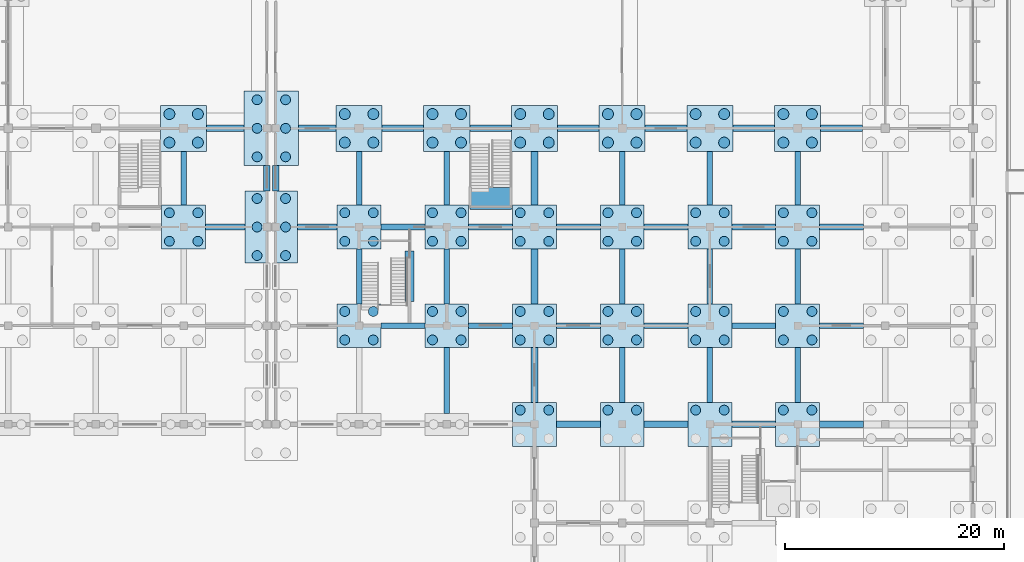
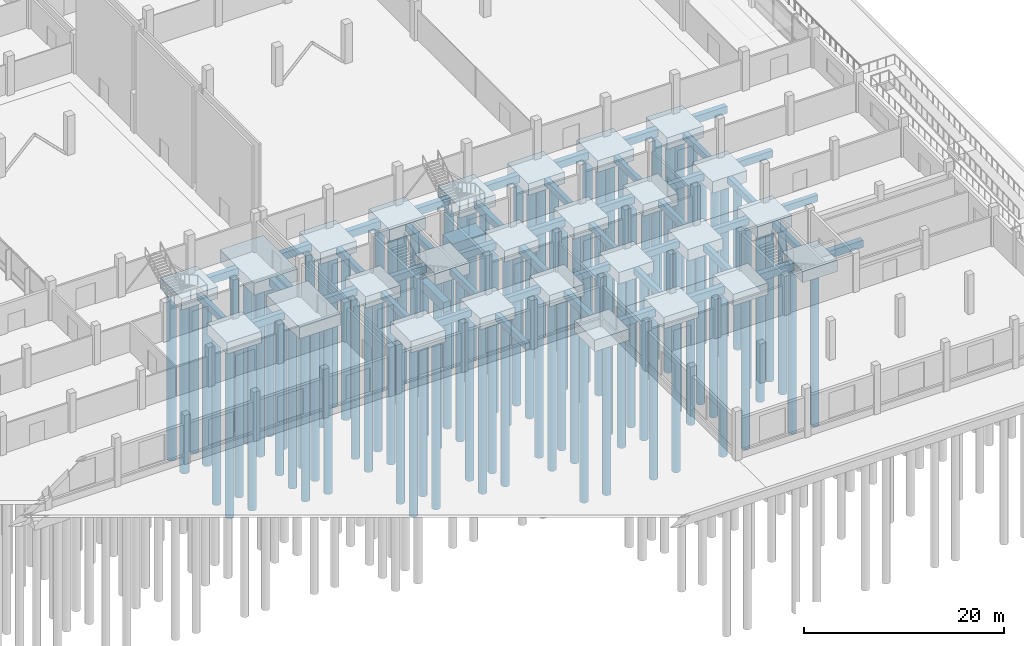
# One storey, part 8 of 72: 100 piles, 74 footings.
"""IFC4 building model written with IfcOpenShell, lengths in metres."""

from ifc_helpers import new_model, si_unit, direction, frame, origin, origin_2d, place, context, subcontext, project, spatial, rectangle, circle, extrude, material, material_profile, profile_set, type_object, element, save


model = new_model("IFC4")

# Units and contexts
model_context = context("Model", 3, precision=1e-05, world=origin(), true_north=direction((0.0, 1.0)))
body_context = subcontext(model_context, "Body", "Model", "MODEL_VIEW")
ifc_project = project(units=[si_unit("LENGTHUNIT", "METRE"), si_unit("AREAUNIT", "SQUARE_METRE"), si_unit("VOLUMEUNIT", "CUBIC_METRE"), si_unit("PLANEANGLEUNIT", "RADIAN"), si_unit("MASSUNIT", "GRAM", prefix="KILO"), si_unit("THERMODYNAMICTEMPERATUREUNIT", "KELVIN"), si_unit("POWERUNIT", "WATT")], contexts=[model_context])

# Site, building, storey
site_placement = place(None, origin())
site = spatial("IfcSite", under=ifc_project, at=site_placement, CompositionType="ELEMENT")
building_placement = place(site_placement, origin())
building = spatial("IfcBuilding", under=site, at=building_placement, Name="Kronsvod Quay Wholesale Market", CompositionType="ELEMENT")
storey_placement = place(building_placement, origin())
storey = spatial("IfcBuildingStorey", under=building, at=storey_placement, Name="L00", CompositionType="ELEMENT", Elevation=0.0)

# Footings
ifc_material_1 = material(Name="Concrete C35/45", Category="concrete")
footing_type_1 = type_object("IfcFootingType", Name="Cap_PC4A", PredefinedType="PILE_CAP", material=ifc_material_1)
for number, where, z_axis, x_axis, name in (
    (1, (120.0, 45.0, -2.64990234375), (0.0, 0.0, 1.0), (1.0, 0.0, 0.0), "CAP-180"),
    (2, (136.0, 36.0, -2.64990234375), (0.0, 0.0, 1.0), (1.0, 0.0, 0.0), "CAP-189"),
    (3, (136.0, 45.0, -2.64990234375), (0.0, 0.0, 1.0), (1.0, 0.0, 0.0), "CAP-190"),
    (4, (144.0, 36.0, -2.64990234375), (0.0, 0.0, 1.0), (1.0, 0.0, 0.0), "CAP-199"),
    (5, (144.0, 45.0, -2.64990234375), (0.0, 0.0, 1.0), (1.0, 0.0, 0.0), "CAP-200"),
    (6, (152.0, 27.0, -2.64990234375), (0.0, 0.0, 1.0), (1.0, 0.0, 0.0), "CAP-211"),
    (7, (152.0, 36.0, -2.64990234375), (0.0, 0.0, 1.0), (1.0, 0.0, 0.0), "CAP-212"),
    (8, (152.0, 45.0, -2.64990234375), (0.0, 0.0, 1.0), (1.0, 0.0, 0.0), "CAP-213"),
    (9, (160.0, 27.0, -2.64990234375), (0.0, 0.0, 1.0), (1.0, 0.0, 0.0), "CAP-224"),
    (10, (160.0, 36.0, -2.64990234375), (0.0, 0.0, 1.0), (1.0, 0.0, 0.0), "CAP-225"),
    (11, (160.0, 45.0, -2.64990234375), (0.0, 0.0, 1.0), (1.0, 0.0, 0.0), "CAP-226"),
    (12, (168.0, 27.0, -2.64990234375), (0.0, 0.0, 1.0), (1.0, 0.0, 0.0), "CAP-235"),
    (13, (168.0, 36.0, -2.64990234375), (0.0, 0.0, 1.0), (1.0, 0.0, 0.0), "CAP-236"),
    (14, (168.0, 45.0, -2.64990234375), (0.0, 0.0, 1.0), (1.0, 0.0, 0.0), "CAP-237"),
    (15, (176.0, 27.0, -2.64990234375), (0.0, 0.0, 1.0), (1.0, 0.0, 0.0), "CAP-246"),
    (16, (176.0, 36.0, -2.64990234375), (0.0, 0.0, 1.0), (1.0, 0.0, 0.0), "CAP-247"),
    (17, (176.0, 45.0, -2.64990234375), (0.0, 0.0, 1.0), (1.0, 0.0, 0.0), "CAP-248"),
):
    element("IfcFooting", number, at=place(storey_placement, frame(where, z_axis=z_axis, x_axis=x_axis)), inside=storey, type_object=footing_type_1, Name=name, PredefinedType="PILE_CAP", context=body_context, shape_type="SweptSolid", body=[
        extrude(rectangle(XDim=4.0, YDim=4.0, at=origin_2d()), origin(), (0.0, 0.0, 1.0), 1.39990234375),
    ])
ifc_material_2 = material(Name="Concrete C35/45", Category="concrete")
footing_type_2 = type_object("IfcFootingType", Name="Cap_PC4B", PredefinedType="PILE_CAP", material=ifc_material_2)
for number, where, z_axis, x_axis, name in (
    (18, (120.0, 54.0, -2.64990234375), (0.0, 0.0, 1.0), (1.0, 0.0, 0.0), "CAP-181"),
    (19, (136.0, 54.0, -2.64990234375), (0.0, 0.0, 1.0), (1.0, 0.0, 0.0), "CAP-191"),
    (20, (144.0, 54.0, -2.64990234375), (0.0, 0.0, 1.0), (1.0, 0.0, 0.0), "CAP-201"),
    (21, (152.0, 54.0, -2.64990234375), (0.0, 0.0, 1.0), (1.0, 0.0, 0.0), "CAP-214"),
    (22, (160.0, 54.0, -2.64990234375), (0.0, 0.0, 1.0), (1.0, 0.0, 0.0), "CAP-227"),
    (23, (168.0, 54.0, -2.64990234375), (0.0, 0.0, 1.0), (1.0, 0.0, 0.0), "CAP-238"),
    (24, (176.0, 54.0, -2.64990234375), (0.0, 0.0, 1.0), (1.0, 0.0, 0.0), "CAP-249"),
):
    element("IfcFooting", number, at=place(storey_placement, frame(where, z_axis=z_axis, x_axis=x_axis)), inside=storey, type_object=footing_type_2, Name=name, PredefinedType="PILE_CAP", context=body_context, shape_type="SweptSolid", body=[
        extrude(rectangle(XDim=4.199951171875, YDim=4.199951171875, at=origin_2d()), origin(), (0.0, 0.0, 1.0), 1.39990234375),
    ])
ifc_material_3 = material(Name="Concrete C35/45", Category="concrete")
footing_type_3 = type_object("IfcFootingType", Name="Cap_PC6H", PredefinedType="PILE_CAP", material=ifc_material_3)
footing_1_placement = place(storey_placement, frame((128.0, 54.0, -2.7001953125), z_axis=(0.0, 0.0, 1.0), x_axis=(1.0, 0.0, 0.0)))
element("IfcFooting", 25, at=footing_1_placement, inside=storey, type_object=footing_type_3, Name="CAP-J008", PredefinedType="PILE_CAP", context=body_context, shape_type="SweptSolid", body=[
    extrude(rectangle(XDim=5.0, YDim=6.800048828125, at=origin_2d()), origin(), (0.0, 0.0, 1.0), 1.449951171875),
])
ifc_material_4 = material(Name="Concrete C35/45", Category="concrete")
footing_type_4 = type_object("IfcFootingType", Name="Cap_PC6J", PredefinedType="PILE_CAP", material=ifc_material_4)
footing_2_placement = place(storey_placement, frame((128.0, 45.0, -2.64990234375), z_axis=(0.0, 0.0, 1.0), x_axis=(1.0, 0.0, 0.0)))
element("IfcFooting", 26, at=footing_2_placement, inside=storey, type_object=footing_type_4, Name="CAP-J006", PredefinedType="PILE_CAP", context=body_context, shape_type="SweptSolid", body=[
    extrude(rectangle(XDim=4.800048828125, YDim=6.60009765625, at=origin_2d()), origin(), (0.0, 0.0, 1.0), 1.39990234375),
])
ifc_material_5 = material(Name="Concrete C35/45", Category="concrete")
ifc_material_profile_1 = material_profile(ifc_material_5, rectangle(XDim=0.5, YDim=0.800048828125, at=origin_2d()), Name="FB-01")
ifc_profile_set_1 = profile_set([ifc_material_profile_1], Name="Concrete C35/45")
footing_type_5 = type_object("IfcFootingType", Name="FootingBeam_500x800", PredefinedType="FOOTING_BEAM", material=ifc_profile_set_1)
footing_3_placement = place(storey_placement, frame((120.0, 47.0, -1.64990234375), z_axis=(0.0, 1.0, 0.0), x_axis=(-1.0, 0.0, 0.0)))
element("IfcFooting", 27, at=footing_3_placement, inside=storey, type_object=footing_type_5, Name="FB-Y-0328", PredefinedType="FOOTING_BEAM", context=body_context, shape_type="SweptSolid", body=[
    extrude(rectangle(XDim=0.5, YDim=0.800048828125, at=origin_2d()), origin(), (0.0, 0.0, 1.0), 4.89990234375),
])
for number, where, z_axis, x_axis, name in (
    (28, (138.0, 36.0, -1.64990234375), (1.0, 0.0, 0.0), (0.0, 1.0, 0.0), "FB-X-0366"),
    (29, (146.0, 36.0, -1.64990234375), (1.0, 0.0, 0.0), (0.0, 1.0, 0.0), "FB-X-0367"),
    (30, (154.0, 36.0, -1.64990234375), (1.0, 0.0, 0.0), (0.0, 1.0, 0.0), "FB-X-0368"),
    (31, (162.0, 36.0, -1.64990234375), (1.0, 0.0, 0.0), (0.0, 1.0, 0.0), "FB-X-0369"),
    (32, (170.0, 36.0, -1.64990234375), (1.0, 0.0, 0.0), (0.0, 1.0, 0.0), "FB-X-0370"),
    (33, (178.0, 36.0, -1.64990234375), (1.0, 0.0, 0.0), (0.0, 1.0, 0.0), "FB-X-0371"),
):
    element("IfcFooting", number, at=place(storey_placement, frame(where, z_axis=z_axis, x_axis=x_axis)), inside=storey, type_object=footing_type_5, Name=name, PredefinedType="FOOTING_BEAM", context=body_context, shape_type="SweptSolid", body=[
        extrude(rectangle(XDim=0.5, YDim=0.800048828125, at=origin_2d()), origin(), (0.0, 0.0, 1.0), 4.0),
    ])
footing_4_placement = place(storey_placement, frame((136.0, 38.0, -1.64990234375), z_axis=(0.0, 1.0, 0.0), x_axis=(-1.0, 0.0, 0.0)))
element("IfcFooting", 34, at=footing_4_placement, inside=storey, type_object=footing_type_5, Name="FB-Y-0437", PredefinedType="FOOTING_BEAM", context=body_context, shape_type="SweptSolid", body=[
    extrude(rectangle(XDim=0.5, YDim=0.800048828125, at=origin_2d()), origin(), (0.0, 0.0, 1.0), 5.0),
])
footing_5_placement = place(storey_placement, frame((136.0, 47.0, -1.64990234375), z_axis=(0.0, 1.0, 0.0), x_axis=(-1.0, 0.0, 0.0)))
element("IfcFooting", 35, at=footing_5_placement, inside=storey, type_object=footing_type_5, Name="FB-Y-0438", PredefinedType="FOOTING_BEAM", context=body_context, shape_type="SweptSolid", body=[
    extrude(rectangle(XDim=0.5, YDim=0.800048828125, at=origin_2d()), origin(), (0.0, 0.0, 1.0), 4.89990234375),
])
footing_6_placement = place(storey_placement, frame((144.0, 28.0, -1.64990234375), z_axis=(0.0, 1.0, 0.0), x_axis=(-1.0, 0.0, 0.0)))
element("IfcFooting", 36, at=footing_6_placement, inside=storey, type_object=footing_type_5, Name="FB-Y-0444", PredefinedType="FOOTING_BEAM", context=body_context, shape_type="SweptSolid", body=[
    extrude(rectangle(XDim=0.5, YDim=0.800048828125, at=origin_2d()), origin(), (0.0, 0.0, 1.0), 6.0),
])
footing_7_placement = place(storey_placement, frame((144.0, 38.0, -1.64990234375), z_axis=(0.0, 1.0, 0.0), x_axis=(-1.0, 0.0, 0.0)))
element("IfcFooting", 37, at=footing_7_placement, inside=storey, type_object=footing_type_5, Name="FB-Y-0445", PredefinedType="FOOTING_BEAM", context=body_context, shape_type="SweptSolid", body=[
    extrude(rectangle(XDim=0.5, YDim=0.800048828125, at=origin_2d()), origin(), (0.0, 0.0, 1.0), 5.0),
])
footing_8_placement = place(storey_placement, frame((144.0, 47.0, -1.64990234375), z_axis=(0.0, 1.0, 0.0), x_axis=(-1.0, 0.0, 0.0)))
element("IfcFooting", 38, at=footing_8_placement, inside=storey, type_object=footing_type_5, Name="FB-Y-0446", PredefinedType="FOOTING_BEAM", context=body_context, shape_type="SweptSolid", body=[
    extrude(rectangle(XDim=0.5, YDim=0.800048828125, at=origin_2d()), origin(), (0.0, 0.0, 1.0), 4.89990234375),
])
for number, where, z_axis, x_axis, name in (
    (39, (160.0, 29.0, -1.64990234375), (0.0, 1.0, 0.0), (-1.0, 0.0, 0.0), "FB-Y-0466"),
    (40, (160.0, 38.0, -1.64990234375), (0.0, 1.0, 0.0), (-1.0, 0.0, 0.0), "FB-Y-0467"),
):
    element("IfcFooting", number, at=place(storey_placement, frame(where, z_axis=z_axis, x_axis=x_axis)), inside=storey, type_object=footing_type_5, Name=name, PredefinedType="FOOTING_BEAM", context=body_context, shape_type="SweptSolid", body=[
        extrude(rectangle(XDim=0.5, YDim=0.800048828125, at=origin_2d()), origin(), (0.0, 0.0, 1.0), 5.0),
    ])
footing_9_placement = place(storey_placement, frame((160.0, 47.0, -1.64990234375), z_axis=(0.0, 1.0, 0.0), x_axis=(-1.0, 0.0, 0.0)))
element("IfcFooting", 41, at=footing_9_placement, inside=storey, type_object=footing_type_5, Name="FB-Y-0468", PredefinedType="FOOTING_BEAM", context=body_context, shape_type="SweptSolid", body=[
    extrude(rectangle(XDim=0.5, YDim=0.800048828125, at=origin_2d()), origin(), (0.0, 0.0, 1.0), 4.89990234375),
])
for number, where, z_axis, x_axis, name in (
    (42, (168.0, 29.0, -1.64990234375), (0.0, 1.0, 0.0), (-1.0, 0.0, 0.0), "FB-Y-0475"),
    (43, (168.0, 38.0, -1.64990234375), (0.0, 1.0, 0.0), (-1.0, 0.0, 0.0), "FB-Y-0476"),
):
    element("IfcFooting", number, at=place(storey_placement, frame(where, z_axis=z_axis, x_axis=x_axis)), inside=storey, type_object=footing_type_5, Name=name, PredefinedType="FOOTING_BEAM", context=body_context, shape_type="SweptSolid", body=[
        extrude(rectangle(XDim=0.5, YDim=0.800048828125, at=origin_2d()), origin(), (0.0, 0.0, 1.0), 5.0),
    ])
footing_10_placement = place(storey_placement, frame((168.0, 47.0, -1.64990234375), z_axis=(0.0, 1.0, 0.0), x_axis=(-1.0, 0.0, 0.0)))
element("IfcFooting", 44, at=footing_10_placement, inside=storey, type_object=footing_type_5, Name="FB-Y-0477", PredefinedType="FOOTING_BEAM", context=body_context, shape_type="SweptSolid", body=[
    extrude(rectangle(XDim=0.5, YDim=0.800048828125, at=origin_2d()), origin(), (0.0, 0.0, 1.0), 4.89990234375),
])
for number, where, z_axis, x_axis, name in (
    (45, (176.0, 29.0, -1.64990234375), (0.0, 1.0, 0.0), (-1.0, 0.0, 0.0), "FB-Y-0484"),
    (46, (176.0, 38.0, -1.64990234375), (0.0, 1.0, 0.0), (-1.0, 0.0, 0.0), "FB-Y-0485"),
):
    element("IfcFooting", number, at=place(storey_placement, frame(where, z_axis=z_axis, x_axis=x_axis)), inside=storey, type_object=footing_type_5, Name=name, PredefinedType="FOOTING_BEAM", context=body_context, shape_type="SweptSolid", body=[
        extrude(rectangle(XDim=0.5, YDim=0.800048828125, at=origin_2d()), origin(), (0.0, 0.0, 1.0), 5.0),
    ])
footing_11_placement = place(storey_placement, frame((176.0, 47.0, -1.64990234375), z_axis=(0.0, 1.0, 0.0), x_axis=(-1.0, 0.0, 0.0)))
element("IfcFooting", 47, at=footing_11_placement, inside=storey, type_object=footing_type_5, Name="FB-Y-0486", PredefinedType="FOOTING_BEAM", context=body_context, shape_type="SweptSolid", body=[
    extrude(rectangle(XDim=0.5, YDim=0.800048828125, at=origin_2d()), origin(), (0.0, 0.0, 1.0), 4.89990234375),
])
ifc_material_6 = material(Name="Concrete C35/45", Category="concrete")
ifc_material_profile_2 = material_profile(ifc_material_6, rectangle(XDim=0.550048828125, YDim=0.85009765625, at=origin_2d()), Name="FB-03")
ifc_profile_set_2 = profile_set([ifc_material_profile_2], Name="Concrete C35/45")
footing_type_6 = type_object("IfcFootingType", Name="FootingBeam_550x850", PredefinedType="FOOTING_BEAM", material=ifc_profile_set_2)
for number, where, z_axis, x_axis, name in (
    (48, (122.0, 45.0, -1.675048828125), (1.0, 0.0, 0.0), (0.0, 1.0, 0.0), "FB-X-0212"),
    (49, (130.39990234375, 45.0, -1.675048828125), (1.0, 0.0, 0.0), (0.0, 1.0, 0.0), "FB-X-0373"),
):
    element("IfcFooting", number, at=place(storey_placement, frame(where, z_axis=z_axis, x_axis=x_axis)), inside=storey, type_object=footing_type_6, Name=name, PredefinedType="FOOTING_BEAM", context=body_context, shape_type="SweptSolid", body=[
        extrude(rectangle(XDim=0.550048828125, YDim=0.85009765625, at=origin_2d()), origin(), (0.0, 0.0, 1.0), 3.60009765625),
    ])
for number, where, z_axis, x_axis, name in (
    (50, (138.0, 45.0, -1.675048828125), (1.0, 0.0, 0.0), (0.0, 1.0, 0.0), "FB-X-0374"),
    (51, (146.0, 45.0, -1.675048828125), (1.0, 0.0, 0.0), (0.0, 1.0, 0.0), "FB-X-0375"),
    (52, (154.0, 45.0, -1.675048828125), (1.0, 0.0, 0.0), (0.0, 1.0, 0.0), "FB-X-0376"),
    (53, (162.0, 45.0, -1.675048828125), (1.0, 0.0, 0.0), (0.0, 1.0, 0.0), "FB-X-0377"),
    (54, (170.0, 45.0, -1.675048828125), (1.0, 0.0, 0.0), (0.0, 1.0, 0.0), "FB-X-0378"),
    (55, (178.0, 45.0, -1.675048828125), (1.0, 0.0, 0.0), (0.0, 1.0, 0.0), "FB-X-0379"),
):
    element("IfcFooting", number, at=place(storey_placement, frame(where, z_axis=z_axis, x_axis=x_axis)), inside=storey, type_object=footing_type_6, Name=name, PredefinedType="FOOTING_BEAM", context=body_context, shape_type="SweptSolid", body=[
        extrude(rectangle(XDim=0.550048828125, YDim=0.85009765625, at=origin_2d()), origin(), (0.0, 0.0, 1.0), 4.0),
    ])
ifc_material_7 = material(Name="Concrete C35/45", Category="concrete")
ifc_material_profile_3 = material_profile(ifc_material_7, rectangle(XDim=0.60009765625, YDim=0.89990234375, at=origin_2d()), Name="FB-02")
ifc_profile_set_3 = profile_set([ifc_material_profile_3], Name="Concrete C35/45")
footing_type_7 = type_object("IfcFootingType", Name="FootingBeam_600x900", PredefinedType="FOOTING_BEAM", material=ifc_profile_set_3)
footing_12_placement = place(storey_placement, frame((122.10009765625, 54.0, -1.699951171875), z_axis=(1.0, 0.0, 0.0), x_axis=(0.0, 1.0, 0.0)))
element("IfcFooting", 56, at=footing_12_placement, inside=storey, type_object=footing_type_7, Name="FB-X-0220", PredefinedType="FOOTING_BEAM", context=body_context, shape_type="SweptSolid", body=[
    extrude(rectangle(XDim=0.60009765625, YDim=0.89990234375, at=origin_2d()), origin(), (0.0, 0.0, 1.0), 3.39990234375),
])
footing_13_placement = place(storey_placement, frame((127.60009765625, 48.300048828125, -1.699951171875), z_axis=(0.0, 1.0, 0.0), x_axis=(-1.0, 0.0, 0.0)))
element("IfcFooting", 57, at=footing_13_placement, inside=storey, type_object=footing_type_7, Name="FB-Y-0336", PredefinedType="FOOTING_BEAM", context=body_context, shape_type="SweptSolid", body=[
    extrude(rectangle(XDim=0.60009765625, YDim=0.89990234375, at=origin_2d()), origin(), (0.0, 0.0, 1.0), 2.300048828125),
])
for number, where, z_axis, x_axis, name in (
    (58, (154.0, 27.0, -1.699951171875), (1.0, 0.0, 0.0), (0.0, 1.0, 0.0), "FB-X-0360"),
    (59, (162.0, 27.0, -1.699951171875), (1.0, 0.0, 0.0), (0.0, 1.0, 0.0), "FB-X-0361"),
    (60, (170.0, 27.0, -1.699951171875), (1.0, 0.0, 0.0), (0.0, 1.0, 0.0), "FB-X-0362"),
    (61, (178.0, 27.0, -1.699951171875), (1.0, 0.0, 0.0), (0.0, 1.0, 0.0), "FB-X-0363"),
):
    element("IfcFooting", number, at=place(storey_placement, frame(where, z_axis=z_axis, x_axis=x_axis)), inside=storey, type_object=footing_type_7, Name=name, PredefinedType="FOOTING_BEAM", context=body_context, shape_type="SweptSolid", body=[
        extrude(rectangle(XDim=0.60009765625, YDim=0.89990234375, at=origin_2d()), origin(), (0.0, 0.0, 1.0), 4.0),
    ])
footing_14_placement = place(storey_placement, frame((130.5, 54.0, -1.699951171875), z_axis=(1.0, 0.0, 0.0), x_axis=(0.0, 1.0, 0.0)))
element("IfcFooting", 62, at=footing_14_placement, inside=storey, type_object=footing_type_7, Name="FB-X-0381", PredefinedType="FOOTING_BEAM", context=body_context, shape_type="SweptSolid", body=[
    extrude(rectangle(XDim=0.60009765625, YDim=0.89990234375, at=origin_2d()), origin(), (0.0, 0.0, 1.0), 3.39990234375),
])
for number, where, z_axis, x_axis, name in (
    (63, (138.10009765625, 54.0, -1.699951171875), (1.0, 0.0, 0.0), (0.0, 1.0, 0.0), "FB-X-0382"),
    (64, (146.10009765625, 54.0, -1.699951171875), (1.0, 0.0, 0.0), (0.0, 1.0, 0.0), "FB-X-0383"),
    (65, (154.10009765625, 54.0, -1.699951171875), (1.0, 0.0, 0.0), (0.0, 1.0, 0.0), "FB-X-0384"),
    (66, (162.10009765625, 54.0, -1.699951171875), (1.0, 0.0, 0.0), (0.0, 1.0, 0.0), "FB-X-0385"),
    (67, (170.10009765625, 54.0, -1.699951171875), (1.0, 0.0, 0.0), (0.0, 1.0, 0.0), "FB-X-0386"),
    (68, (178.10009765625, 54.0, -1.699951171875), (1.0, 0.0, 0.0), (0.0, 1.0, 0.0), "FB-X-0387"),
):
    element("IfcFooting", number, at=place(storey_placement, frame(where, z_axis=z_axis, x_axis=x_axis)), inside=storey, type_object=footing_type_7, Name=name, PredefinedType="FOOTING_BEAM", context=body_context, shape_type="SweptSolid", body=[
        extrude(rectangle(XDim=0.60009765625, YDim=0.89990234375, at=origin_2d()), origin(), (0.0, 0.0, 1.0), 3.7998046875),
    ])
footing_15_placement = place(storey_placement, frame((128.39990234375, 48.300048828125, -1.699951171875), z_axis=(0.0, 1.0, 0.0), x_axis=(-1.0, 0.0, 0.0)))
element("IfcFooting", 69, at=footing_15_placement, inside=storey, type_object=footing_type_7, Name="FB-Y-0430", PredefinedType="FOOTING_BEAM", context=body_context, shape_type="SweptSolid", body=[
    extrude(rectangle(XDim=0.60009765625, YDim=0.89990234375, at=origin_2d()), origin(), (0.0, 0.0, 1.0), 2.300048828125),
])
for number, where, z_axis, x_axis, name in (
    (70, (152.0, 29.0, -1.699951171875), (0.0, 1.0, 0.0), (-1.0, 0.0, 0.0), "FB-Y-0455"),
    (71, (152.0, 38.0, -1.699951171875), (0.0, 1.0, 0.0), (-1.0, 0.0, 0.0), "FB-Y-0456"),
):
    element("IfcFooting", number, at=place(storey_placement, frame(where, z_axis=z_axis, x_axis=x_axis)), inside=storey, type_object=footing_type_7, Name=name, PredefinedType="FOOTING_BEAM", context=body_context, shape_type="SweptSolid", body=[
        extrude(rectangle(XDim=0.60009765625, YDim=0.89990234375, at=origin_2d()), origin(), (0.0, 0.0, 1.0), 5.0),
    ])
footing_16_placement = place(storey_placement, frame((152.0, 47.0, -1.699951171875), z_axis=(0.0, 1.0, 0.0), x_axis=(-1.0, 0.0, 0.0)))
element("IfcFooting", 72, at=footing_16_placement, inside=storey, type_object=footing_type_7, Name="FB-Y-0457", PredefinedType="FOOTING_BEAM", context=body_context, shape_type="SweptSolid", body=[
    extrude(rectangle(XDim=0.60009765625, YDim=0.89990234375, at=origin_2d()), origin(), (0.0, 0.0, 1.0), 4.89990234375),
])
ifc_material_8 = material(Name="Concrete C35/45", Category="concrete")
footing_type_8 = type_object("IfcFootingType", Name="Pad_PF2", PredefinedType="PAD_FOOTING", material=ifc_material_8)
footing_17_placement = place(storey_placement, frame((148.0, 47.60009765625, -2.7001953125), z_axis=(0.0, 0.0, 1.0), x_axis=(1.0, 0.0, 0.0)))
element("IfcFooting", 73, at=footing_17_placement, inside=storey, type_object=footing_type_8, Name="ST-GAL-E2-FND", PredefinedType="PAD_FOOTING", context=body_context, shape_type="SweptSolid", body=[
    extrude(rectangle(XDim=3.800048828125, YDim=2.0, at=origin_2d()), origin(), (0.0, 0.0, 1.0), 1.449951171875),
])

# Piles
ifc_material_9 = material(Name="Concrete C35/45", Category="concrete")
ifc_material_profile_4 = material_profile(ifc_material_9, circle(Radius=0.5, at=origin_2d()), Name="PILE1000")
ifc_profile_set_4 = profile_set([ifc_material_profile_4], Name="Concrete C35/45")
pile_type_1 = type_object("IfcPileType", Name="Pile_PILE1000", PredefinedType="BORED", material=ifc_profile_set_4)
for number, where, z_axis, x_axis, name in (
    (74, (118.699951171875, 52.699951171875, -2.64990234375), (0.0, 0.0, -1.0), (1.0, 0.0, 0.0), "PILE-0709"),
    (75, (118.699951171875, 55.300048828125, -2.64990234375), (0.0, 0.0, -1.0), (1.0, 0.0, 0.0), "PILE-0710"),
    (76, (121.300048828125, 52.699951171875, -2.64990234375), (0.0, 0.0, -1.0), (1.0, 0.0, 0.0), "PILE-0711"),
    (77, (121.300048828125, 55.300048828125, -2.64990234375), (0.0, 0.0, -1.0), (1.0, 0.0, 0.0), "PILE-0712"),
    (78, (134.699951171875, 52.699951171875, -2.64990234375), (0.0, 0.0, -1.0), (1.0, 0.0, 0.0), "PILE-0747"),
    (79, (134.699951171875, 55.300048828125, -2.64990234375), (0.0, 0.0, -1.0), (1.0, 0.0, 0.0), "PILE-0748"),
    (80, (137.300048828125, 52.699951171875, -2.64990234375), (0.0, 0.0, -1.0), (1.0, 0.0, 0.0), "PILE-0749"),
    (81, (137.300048828125, 55.300048828125, -2.64990234375), (0.0, 0.0, -1.0), (1.0, 0.0, 0.0), "PILE-0750"),
    (82, (142.699951171875, 52.699951171875, -2.64990234375), (0.0, 0.0, -1.0), (1.0, 0.0, 0.0), "PILE-0785"),
    (83, (142.699951171875, 55.300048828125, -2.64990234375), (0.0, 0.0, -1.0), (1.0, 0.0, 0.0), "PILE-0786"),
    (84, (145.300048828125, 52.699951171875, -2.64990234375), (0.0, 0.0, -1.0), (1.0, 0.0, 0.0), "PILE-0787"),
    (85, (145.300048828125, 55.300048828125, -2.64990234375), (0.0, 0.0, -1.0), (1.0, 0.0, 0.0), "PILE-0788"),
    (86, (150.699951171875, 52.699951171875, -2.64990234375), (0.0, 0.0, -1.0), (1.0, 0.0, 0.0), "PILE-0833"),
    (87, (150.699951171875, 55.300048828125, -2.64990234375), (0.0, 0.0, -1.0), (1.0, 0.0, 0.0), "PILE-0834"),
    (88, (153.300048828125, 52.699951171875, -2.64990234375), (0.0, 0.0, -1.0), (1.0, 0.0, 0.0), "PILE-0835"),
    (89, (153.300048828125, 55.300048828125, -2.64990234375), (0.0, 0.0, -1.0), (1.0, 0.0, 0.0), "PILE-0836"),
    (90, (158.699951171875, 52.699951171875, -2.64990234375), (0.0, 0.0, -1.0), (1.0, 0.0, 0.0), "PILE-0881"),
    (91, (158.699951171875, 55.300048828125, -2.64990234375), (0.0, 0.0, -1.0), (1.0, 0.0, 0.0), "PILE-0882"),
    (92, (161.300048828125, 52.699951171875, -2.64990234375), (0.0, 0.0, -1.0), (1.0, 0.0, 0.0), "PILE-0883"),
    (93, (161.300048828125, 55.300048828125, -2.64990234375), (0.0, 0.0, -1.0), (1.0, 0.0, 0.0), "PILE-0884"),
    (94, (166.699951171875, 52.699951171875, -2.64990234375), (0.0, 0.0, -1.0), (1.0, 0.0, 0.0), "PILE-0917"),
    (95, (166.699951171875, 55.300048828125, -2.64990234375), (0.0, 0.0, -1.0), (1.0, 0.0, 0.0), "PILE-0918"),
    (96, (169.300048828125, 52.699951171875, -2.64990234375), (0.0, 0.0, -1.0), (1.0, 0.0, 0.0), "PILE-0919"),
    (97, (169.300048828125, 55.300048828125, -2.64990234375), (0.0, 0.0, -1.0), (1.0, 0.0, 0.0), "PILE-0920"),
    (98, (174.699951171875, 52.699951171875, -2.64990234375), (0.0, 0.0, -1.0), (1.0, 0.0, 0.0), "PILE-0953"),
    (99, (174.699951171875, 55.300048828125, -2.64990234375), (0.0, 0.0, -1.0), (1.0, 0.0, 0.0), "PILE-0954"),
    (100, (177.300048828125, 52.699951171875, -2.64990234375), (0.0, 0.0, -1.0), (1.0, 0.0, 0.0), "PILE-0955"),
    (101, (177.300048828125, 55.300048828125, -2.64990234375), (0.0, 0.0, -1.0), (1.0, 0.0, 0.0), "PILE-0956"),
):
    element("IfcPile", number, at=place(storey_placement, frame(where, z_axis=z_axis, x_axis=x_axis)), inside=storey, type_object=pile_type_1, Name=name, PredefinedType="BORED", context=body_context, shape_type="SweptSolid", body=[
        extrude(circle(Radius=0.5, at=origin_2d()), origin(), (0.0, 0.0, 1.0), 20.39990234375),
    ])
ifc_material_10 = material(Name="Concrete C35/45", Category="concrete")
ifc_material_profile_5 = material_profile(ifc_material_10, circle(Radius=0.449951171875, at=origin_2d()), Name="PILE900")
ifc_profile_set_5 = profile_set([ifc_material_profile_5], Name="Concrete C35/45")
pile_type_2 = type_object("IfcPileType", Name="Pile_PILE900", PredefinedType="BORED", material=ifc_profile_set_5)
for number, where, z_axis, x_axis, name in (
    (102, (126.699951171875, 42.39990234375, -2.64990234375), (0.0, 0.0, -1.0), (1.0, 0.0, 0.0), "PILE-0031"),
    (103, (126.699951171875, 45.0, -2.64990234375), (0.0, 0.0, -1.0), (1.0, 0.0, 0.0), "PILE-0032"),
    (104, (126.699951171875, 47.60009765625, -2.64990234375), (0.0, 0.0, -1.0), (1.0, 0.0, 0.0), "PILE-0033"),
    (105, (129.300048828125, 42.39990234375, -2.64990234375), (0.0, 0.0, -1.0), (1.0, 0.0, 0.0), "PILE-0034"),
    (106, (129.300048828125, 45.0, -2.64990234375), (0.0, 0.0, -1.0), (1.0, 0.0, 0.0), "PILE-0035"),
    (107, (129.300048828125, 47.60009765625, -2.64990234375), (0.0, 0.0, -1.0), (1.0, 0.0, 0.0), "PILE-0036"),
    (108, (126.699951171875, 51.39990234375, -2.64990234375), (0.0, 0.0, -1.0), (1.0, 0.0, 0.0), "PILE-0043"),
    (109, (126.699951171875, 54.0, -2.64990234375), (0.0, 0.0, -1.0), (1.0, 0.0, 0.0), "PILE-0044"),
    (110, (126.699951171875, 56.60009765625, -2.64990234375), (0.0, 0.0, -1.0), (1.0, 0.0, 0.0), "PILE-0045"),
    (111, (129.300048828125, 51.39990234375, -2.64990234375), (0.0, 0.0, -1.0), (1.0, 0.0, 0.0), "PILE-0046"),
    (112, (129.300048828125, 54.0, -2.64990234375), (0.0, 0.0, -1.0), (1.0, 0.0, 0.0), "PILE-0047"),
    (113, (129.300048828125, 56.60009765625, -2.64990234375), (0.0, 0.0, -1.0), (1.0, 0.0, 0.0), "PILE-0048"),
    (114, (118.699951171875, 43.699951171875, -2.64990234375), (0.0, 0.0, -1.0), (1.0, 0.0, 0.0), "PILE-0705"),
    (115, (118.699951171875, 46.300048828125, -2.64990234375), (0.0, 0.0, -1.0), (1.0, 0.0, 0.0), "PILE-0706"),
    (116, (121.300048828125, 43.699951171875, -2.64990234375), (0.0, 0.0, -1.0), (1.0, 0.0, 0.0), "PILE-0707"),
    (117, (121.300048828125, 46.300048828125, -2.64990234375), (0.0, 0.0, -1.0), (1.0, 0.0, 0.0), "PILE-0708"),
    (118, (134.699951171875, 34.699951171875, -2.64990234375), (0.0, 0.0, -1.0), (1.0, 0.0, 0.0), "PILE-0739"),
    (119, (134.699951171875, 37.300048828125, -2.64990234375), (0.0, 0.0, -1.0), (1.0, 0.0, 0.0), "PILE-0740"),
    (120, (137.300048828125, 34.699951171875, -2.64990234375), (0.0, 0.0, -1.0), (1.0, 0.0, 0.0), "PILE-0741"),
    (121, (137.300048828125, 37.300048828125, -2.64990234375), (0.0, 0.0, -1.0), (1.0, 0.0, 0.0), "PILE-0742"),
    (122, (134.699951171875, 43.699951171875, -2.64990234375), (0.0, 0.0, -1.0), (1.0, 0.0, 0.0), "PILE-0743"),
    (123, (134.699951171875, 46.300048828125, -2.64990234375), (0.0, 0.0, -1.0), (1.0, 0.0, 0.0), "PILE-0744"),
    (124, (137.300048828125, 43.699951171875, -2.64990234375), (0.0, 0.0, -1.0), (1.0, 0.0, 0.0), "PILE-0745"),
    (125, (137.300048828125, 46.300048828125, -2.64990234375), (0.0, 0.0, -1.0), (1.0, 0.0, 0.0), "PILE-0746"),
    (126, (142.699951171875, 34.699951171875, -2.64990234375), (0.0, 0.0, -1.0), (1.0, 0.0, 0.0), "PILE-0777"),
    (127, (142.699951171875, 37.300048828125, -2.64990234375), (0.0, 0.0, -1.0), (1.0, 0.0, 0.0), "PILE-0778"),
    (128, (145.300048828125, 34.699951171875, -2.64990234375), (0.0, 0.0, -1.0), (1.0, 0.0, 0.0), "PILE-0779"),
    (129, (145.300048828125, 37.300048828125, -2.64990234375), (0.0, 0.0, -1.0), (1.0, 0.0, 0.0), "PILE-0780"),
    (130, (142.699951171875, 43.699951171875, -2.64990234375), (0.0, 0.0, -1.0), (1.0, 0.0, 0.0), "PILE-0781"),
    (131, (142.699951171875, 46.300048828125, -2.64990234375), (0.0, 0.0, -1.0), (1.0, 0.0, 0.0), "PILE-0782"),
    (132, (145.300048828125, 43.699951171875, -2.64990234375), (0.0, 0.0, -1.0), (1.0, 0.0, 0.0), "PILE-0783"),
    (133, (145.300048828125, 46.300048828125, -2.64990234375), (0.0, 0.0, -1.0), (1.0, 0.0, 0.0), "PILE-0784"),
    (134, (150.699951171875, 28.300048828125, -2.64990234375), (0.0, 0.0, -1.0), (1.0, 0.0, 0.0), "PILE-0822"),
    (135, (153.300048828125, 28.300048828125, -2.64990234375), (0.0, 0.0, -1.0), (1.0, 0.0, 0.0), "PILE-0824"),
    (136, (150.699951171875, 34.699951171875, -2.64990234375), (0.0, 0.0, -1.0), (1.0, 0.0, 0.0), "PILE-0825"),
    (137, (150.699951171875, 37.300048828125, -2.64990234375), (0.0, 0.0, -1.0), (1.0, 0.0, 0.0), "PILE-0826"),
    (138, (153.300048828125, 34.699951171875, -2.64990234375), (0.0, 0.0, -1.0), (1.0, 0.0, 0.0), "PILE-0827"),
    (139, (153.300048828125, 37.300048828125, -2.64990234375), (0.0, 0.0, -1.0), (1.0, 0.0, 0.0), "PILE-0828"),
    (140, (150.699951171875, 43.699951171875, -2.64990234375), (0.0, 0.0, -1.0), (1.0, 0.0, 0.0), "PILE-0829"),
    (141, (150.699951171875, 46.300048828125, -2.64990234375), (0.0, 0.0, -1.0), (1.0, 0.0, 0.0), "PILE-0830"),
    (142, (153.300048828125, 43.699951171875, -2.64990234375), (0.0, 0.0, -1.0), (1.0, 0.0, 0.0), "PILE-0831"),
    (143, (153.300048828125, 46.300048828125, -2.64990234375), (0.0, 0.0, -1.0), (1.0, 0.0, 0.0), "PILE-0832"),
    (144, (158.699951171875, 28.300048828125, -2.64990234375), (0.0, 0.0, -1.0), (1.0, 0.0, 0.0), "PILE-0870"),
    (145, (161.300048828125, 28.300048828125, -2.64990234375), (0.0, 0.0, -1.0), (1.0, 0.0, 0.0), "PILE-0872"),
    (146, (158.699951171875, 34.699951171875, -2.64990234375), (0.0, 0.0, -1.0), (1.0, 0.0, 0.0), "PILE-0873"),
    (147, (158.699951171875, 37.300048828125, -2.64990234375), (0.0, 0.0, -1.0), (1.0, 0.0, 0.0), "PILE-0874"),
    (148, (161.300048828125, 34.699951171875, -2.64990234375), (0.0, 0.0, -1.0), (1.0, 0.0, 0.0), "PILE-0875"),
    (149, (161.300048828125, 37.300048828125, -2.64990234375), (0.0, 0.0, -1.0), (1.0, 0.0, 0.0), "PILE-0876"),
    (150, (158.699951171875, 43.699951171875, -2.64990234375), (0.0, 0.0, -1.0), (1.0, 0.0, 0.0), "PILE-0877"),
    (151, (158.699951171875, 46.300048828125, -2.64990234375), (0.0, 0.0, -1.0), (1.0, 0.0, 0.0), "PILE-0878"),
    (152, (161.300048828125, 43.699951171875, -2.64990234375), (0.0, 0.0, -1.0), (1.0, 0.0, 0.0), "PILE-0879"),
    (153, (161.300048828125, 46.300048828125, -2.64990234375), (0.0, 0.0, -1.0), (1.0, 0.0, 0.0), "PILE-0880"),
    (154, (166.699951171875, 28.300048828125, -2.64990234375), (0.0, 0.0, -1.0), (1.0, 0.0, 0.0), "PILE-0906"),
    (155, (169.300048828125, 28.300048828125, -2.64990234375), (0.0, 0.0, -1.0), (1.0, 0.0, 0.0), "PILE-0908"),
    (156, (166.699951171875, 34.699951171875, -2.64990234375), (0.0, 0.0, -1.0), (1.0, 0.0, 0.0), "PILE-0909"),
    (157, (166.699951171875, 37.300048828125, -2.64990234375), (0.0, 0.0, -1.0), (1.0, 0.0, 0.0), "PILE-0910"),
    (158, (169.300048828125, 34.699951171875, -2.64990234375), (0.0, 0.0, -1.0), (1.0, 0.0, 0.0), "PILE-0911"),
    (159, (169.300048828125, 37.300048828125, -2.64990234375), (0.0, 0.0, -1.0), (1.0, 0.0, 0.0), "PILE-0912"),
    (160, (166.699951171875, 43.699951171875, -2.64990234375), (0.0, 0.0, -1.0), (1.0, 0.0, 0.0), "PILE-0913"),
    (161, (166.699951171875, 46.300048828125, -2.64990234375), (0.0, 0.0, -1.0), (1.0, 0.0, 0.0), "PILE-0914"),
    (162, (169.300048828125, 43.699951171875, -2.64990234375), (0.0, 0.0, -1.0), (1.0, 0.0, 0.0), "PILE-0915"),
    (163, (169.300048828125, 46.300048828125, -2.64990234375), (0.0, 0.0, -1.0), (1.0, 0.0, 0.0), "PILE-0916"),
    (164, (174.699951171875, 28.300048828125, -2.64990234375), (0.0, 0.0, -1.0), (1.0, 0.0, 0.0), "PILE-0942"),
    (165, (177.300048828125, 28.300048828125, -2.64990234375), (0.0, 0.0, -1.0), (1.0, 0.0, 0.0), "PILE-0944"),
    (166, (174.699951171875, 34.699951171875, -2.64990234375), (0.0, 0.0, -1.0), (1.0, 0.0, 0.0), "PILE-0945"),
    (167, (174.699951171875, 37.300048828125, -2.64990234375), (0.0, 0.0, -1.0), (1.0, 0.0, 0.0), "PILE-0946"),
    (168, (177.300048828125, 34.699951171875, -2.64990234375), (0.0, 0.0, -1.0), (1.0, 0.0, 0.0), "PILE-0947"),
    (169, (177.300048828125, 37.300048828125, -2.64990234375), (0.0, 0.0, -1.0), (1.0, 0.0, 0.0), "PILE-0948"),
    (170, (174.699951171875, 43.699951171875, -2.64990234375), (0.0, 0.0, -1.0), (1.0, 0.0, 0.0), "PILE-0949"),
    (171, (174.699951171875, 46.300048828125, -2.64990234375), (0.0, 0.0, -1.0), (1.0, 0.0, 0.0), "PILE-0950"),
    (172, (177.300048828125, 43.699951171875, -2.64990234375), (0.0, 0.0, -1.0), (1.0, 0.0, 0.0), "PILE-0951"),
    (173, (177.300048828125, 46.300048828125, -2.64990234375), (0.0, 0.0, -1.0), (1.0, 0.0, 0.0), "PILE-0952"),
):
    element("IfcPile", number, at=place(storey_placement, frame(where, z_axis=z_axis, x_axis=x_axis)), inside=storey, type_object=pile_type_2, Name=name, PredefinedType="BORED", context=body_context, shape_type="SweptSolid", body=[
        extrude(circle(Radius=0.449951171875, at=origin_2d()), origin(), (0.0, 0.0, 1.0), 20.39990234375),
    ])

# Footing
ifc_material_11 = material(Name="Concrete C35/45", Category="concrete")
ifc_material_profile_6 = material_profile(ifc_material_11, rectangle(XDim=0.800048828125, YDim=1.199951171875, at=origin_2d()), Name="SF-01")
ifc_profile_set_6 = profile_set([ifc_material_profile_6], Name="Concrete C35/45")
footing_type_9 = type_object("IfcFootingType", Name="StripFooting_800x1200", PredefinedType="STRIP_FOOTING", material=ifc_profile_set_6)
footing_18_placement = place(storey_placement, frame((140.60009765625, 38.199951171875, -1.85009765625), z_axis=(0.0, 1.0, 0.0), x_axis=(-1.0, 0.0, 0.0)))
element("IfcFooting", 174, at=footing_18_placement, inside=storey, type_object=footing_type_9, Name="SF-C05-DIV", PredefinedType="STRIP_FOOTING", context=body_context, shape_type="SweptSolid", body=[
    extrude(rectangle(XDim=0.800048828125, YDim=1.199951171875, at=origin_2d()), origin(), (0.0, 0.0, 1.0), 4.60009765625),
])

save(model, "model.ifc")
